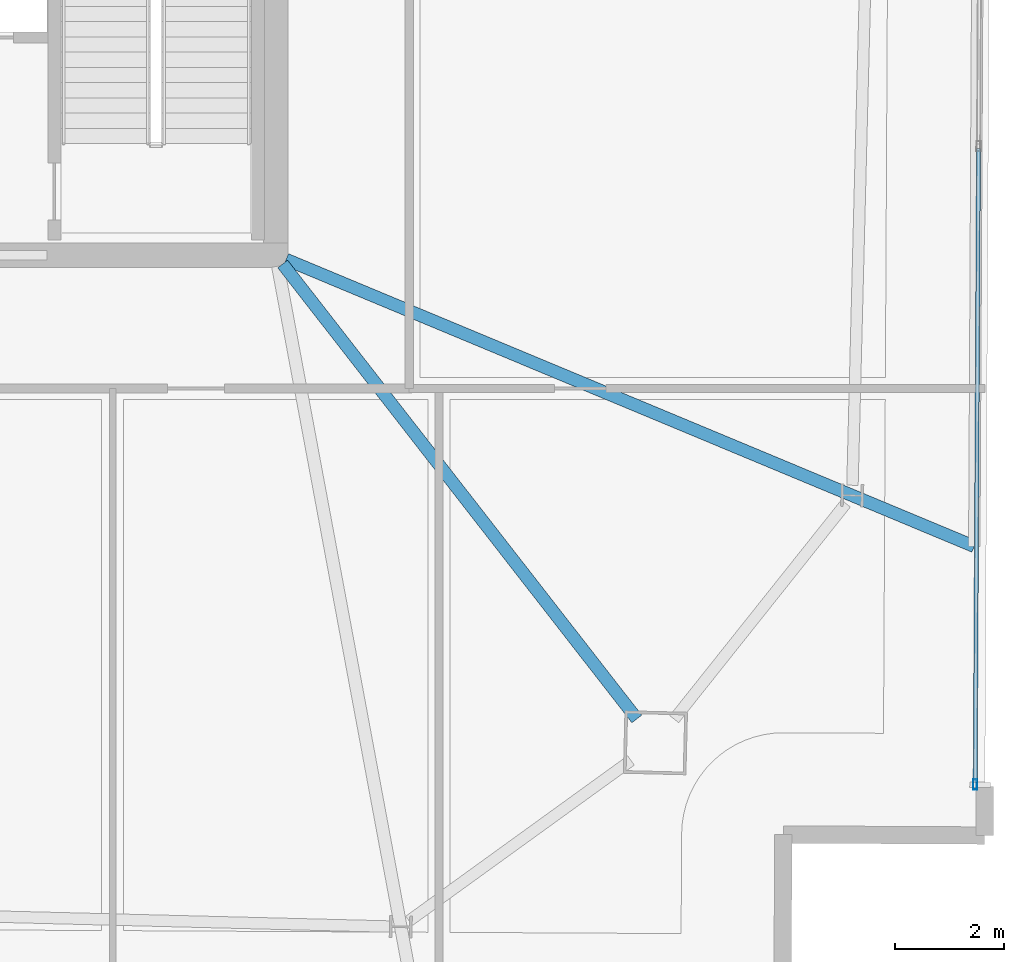
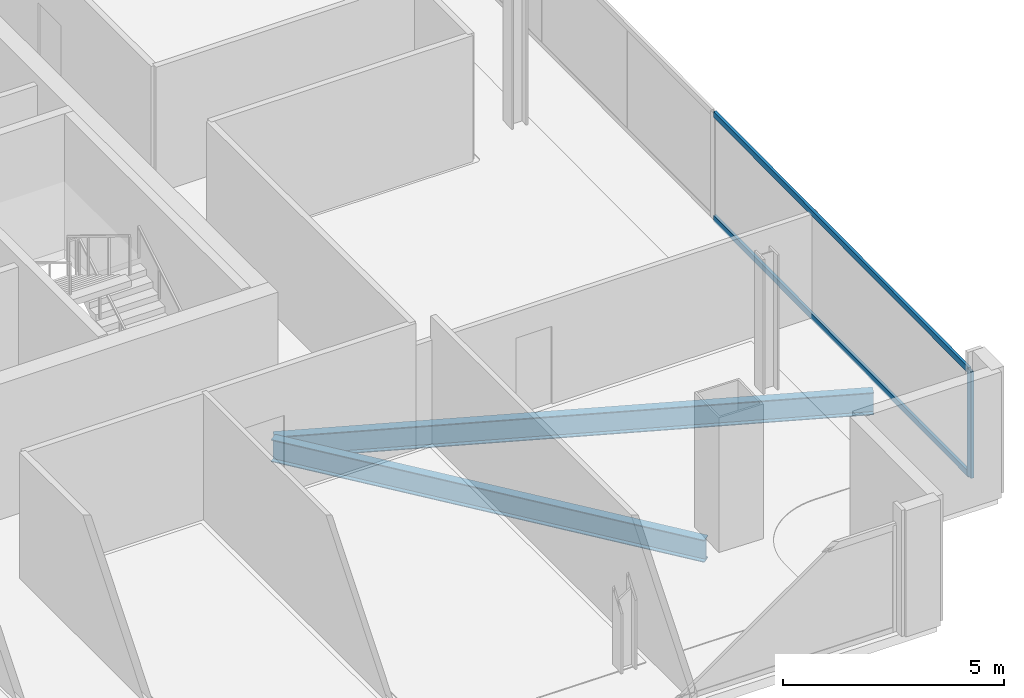
# One storey, part 9 of 24: 3 members, 2 beams, 1 element without a shape of its own.
"""IFC4 building model written with IfcOpenShell, lengths in metres."""

from ifc_helpers import new_model, si_unit, direction, frame, origin, origin_2d, place, context, subcontext, project, spatial, hollow_rectangle, i_section, extrude, material, material_profile, profile_set, type_object, element, aggregate, save


model = new_model("IFC4")

# Units and contexts
model_context = context("Model", 3, precision=1e-05, world=origin(), true_north=direction((0.0, 1.0)))
body_context = subcontext(model_context, "Body", "Model", "MODEL_VIEW")
ifc_project = project(units=[si_unit("LENGTHUNIT", "METRE"), si_unit("AREAUNIT", "SQUARE_METRE"), si_unit("VOLUMEUNIT", "CUBIC_METRE"), si_unit("PLANEANGLEUNIT", "RADIAN"), si_unit("MASSUNIT", "GRAM", prefix="KILO")], contexts=[model_context])

# Site, building, storey
site_placement = place(None, origin())
site = spatial("IfcSite", under=ifc_project, at=site_placement, CompositionType="ELEMENT")
building_placement = place(site_placement, origin())
building = spatial("IfcBuilding", under=site, at=building_placement, Name="Haldenkirk Collegiate Tower", CompositionType="ELEMENT")
storey_placement = place(building_placement, frame((0.0, 0.0, 328.949951171875)))
storey = spatial("IfcBuildingStorey", under=building, at=storey_placement, Name="L83", CompositionType="ELEMENT", Elevation=328.949951171875)

# Beams
ifc_material_1 = material(Name="Steel ASTM A992 Grade 50", Category="steel")
ifc_material_profile_1 = material_profile(ifc_material_1, i_section(OverallWidth=0.22998046875, OverallDepth=0.616943359375, WebThickness=0.01318359375, FlangeThickness=0.022216796875, at=origin_2d()), Name="W24X94")
ifc_profile_set_1 = profile_set([ifc_material_profile_1], Name="Steel ASTM A992 Grade 50")
beam_type = type_object("IfcBeamType", Name="BM-GIRDER-W24X94", PredefinedType="BEAM", material=ifc_profile_set_1)
beam_1_placement = place(storey_placement, frame((51.635009765625, 9.478271484375, -0.568359375), z_axis=(-0.614347328176, 0.789035715518, 0.0), x_axis=(-0.789035715518, -0.614347328176, 0.0)))
element("IfcBeam", 1, at=beam_1_placement, inside=storey, type_object=beam_type, Name="L83 primary floor girder 01", PredefinedType="BEAM", context=body_context, shape_type="SweptSolid", body=[
    extrude(i_section(OverallWidth=0.22998046875, OverallDepth=0.616943359375, WebThickness=0.01318359375, FlangeThickness=0.022216796875, at=origin_2d()), origin(), (0.0, 0.0, 1.0), 10.594970703125),
])
beam_2_placement = place(storey_placement, frame((57.83544921875, 12.649169921875, -0.568359375), z_axis=(-0.923006791524, 0.384783657139, 0.0), x_axis=(-0.384783657139, -0.923006791524, 0.0)))
element("IfcBeam", 2, at=beam_2_placement, inside=storey, type_object=beam_type, Name="L83 primary floor girder 05", PredefinedType="BEAM", context=body_context, shape_type="SweptSolid", body=[
    extrude(i_section(OverallWidth=0.22998046875, OverallDepth=0.616943359375, WebThickness=0.01318359375, FlangeThickness=0.022216796875, at=origin_2d()), origin(), (0.0, 0.0, 1.0), 13.701171875),
])

# Curtain wall, members
ifc_material_2 = material(Name="Anodised architectural bronze aluminium", Category="aluminium")
curtain_wall_type = type_object("IfcCurtainWallType", Name="CW-SYS2-CONCAVE", PredefinedType="USERDEFINED", material=ifc_material_2)
curtain_wall_placement = place(storey_placement, origin())
curtain_wall = element("IfcCurtainWall", 3, at=curtain_wall_placement, inside=storey, type_object=curtain_wall_type, Name="L83 South concave recessed bronze-anodised curtain wall", ObjectType="UNITISED CURTAIN WALL", PredefinedType="USERDEFINED")
ifc_material_profile_2 = material_profile(ifc_material_2, hollow_rectangle(XDim=0.074951171875, YDim=0.18994140625, WallThickness=0.0048828125, at=origin_2d()), Name="CW-MUL-02")
ifc_profile_set_2 = profile_set([ifc_material_profile_2], Name="Anodised architectural bronze aluminium")
member_type_1 = type_object("IfcMemberType", Name="CW-MUL-02", PredefinedType="MULLION", material=ifc_profile_set_2)
member_1_placement = place(storey_placement, frame((57.8525390625, 8.272705078125, 0.0), z_axis=(0.0, 0.0, 1.0), x_axis=(0.999986296614, -0.00523512989, 0.0)))
member_1 = element("IfcMember", 4, at=member_1_placement, type_object=member_type_1, Name="CW-02 mullion 4", PredefinedType="MULLION", context=body_context, shape_type="SweptSolid", body=[
    extrude(hollow_rectangle(XDim=0.074951171875, YDim=0.18994140625, WallThickness=0.0048828125, at=origin_2d()), origin(), (0.0, 0.0, 1.0), 2.947998046875),
])
ifc_material_profile_3 = material_profile(ifc_material_2, hollow_rectangle(XDim=0.074951171875, YDim=0.159912109375, WallThickness=0.0048828125, at=origin_2d()), Name="CW-TRN-02")
ifc_profile_set_3 = profile_set([ifc_material_profile_3], Name="Anodised architectural bronze aluminium")
member_type_2 = type_object("IfcMemberType", Name="CW-TRN-02", PredefinedType="USERDEFINED", material=ifc_profile_set_3)
member_2_placement = place(storey_placement, frame((57.913818359375, 19.96435546875, 0.03759765625), z_axis=(-0.005237175479, -0.999986285902, 0.0), x_axis=(0.999986285902, -0.005237175479, 0.0)))
member_2 = element("IfcMember", 5, at=member_2_placement, type_object=member_type_2, Name="CW-02 transom 3.1", ObjectType="TRANSOM", PredefinedType="USERDEFINED", context=body_context, shape_type="SweptSolid", body=[
    extrude(hollow_rectangle(XDim=0.074951171875, YDim=0.159912109375, WallThickness=0.0048828125, at=origin_2d()), origin(), (0.0, 0.0, 1.0), 11.654296875),
])
member_3_placement = place(storey_placement, frame((57.913818359375, 19.96435546875, 2.91064453125), z_axis=(-0.005237175479, -0.999986285902, 0.0), x_axis=(0.999986285902, -0.005237175479, 0.0)))
member_3 = element("IfcMember", 6, at=member_3_placement, type_object=member_type_2, Name="CW-02 transom 3.2", ObjectType="TRANSOM", PredefinedType="USERDEFINED", context=body_context, shape_type="SweptSolid", body=[
    extrude(hollow_rectangle(XDim=0.074951171875, YDim=0.159912109375, WallThickness=0.0048828125, at=origin_2d()), origin(), (0.0, 0.0, 1.0), 11.654296875),
])
aggregate(curtain_wall, [member_1, member_2, member_3])

save(model, "model.ifc")
